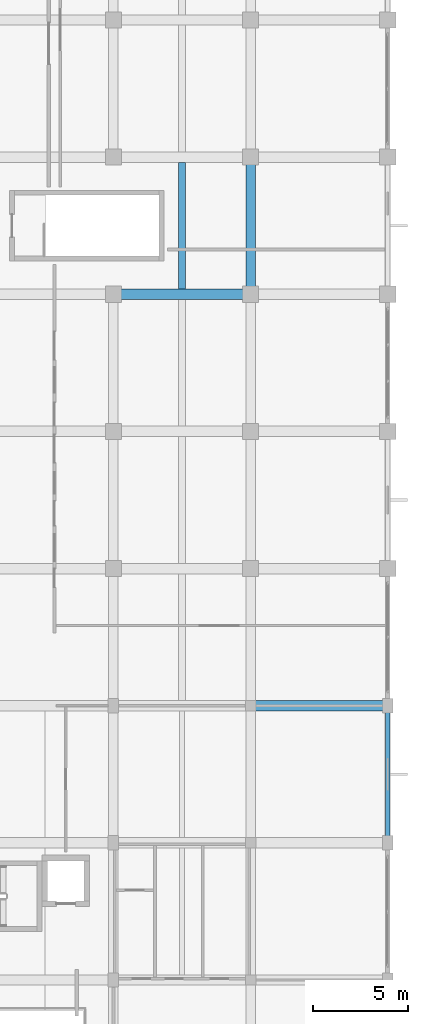
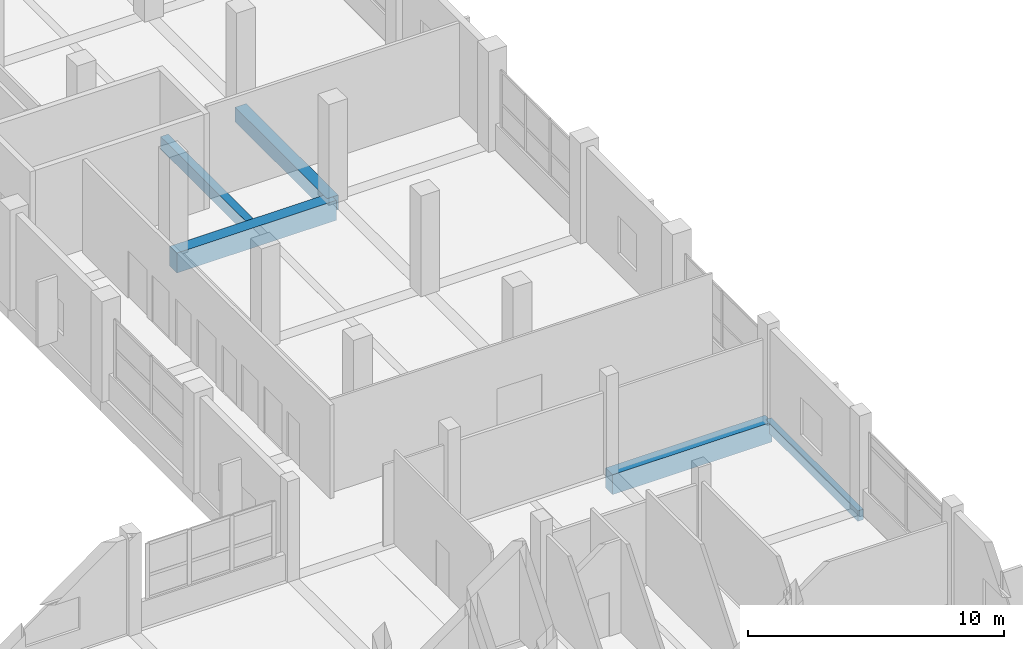
# One storey, part 122 of 181: 5 beams.
"""IFC4 building model written with IfcOpenShell, lengths in metres."""

from ifc_helpers import new_model, si_unit, direction, frame, origin, origin_2d, place, context, subcontext, project, spatial, rectangle, extrude, material, material_profile, profile_set, type_object, element, save


model = new_model("IFC4")

# Units and contexts
model_context = context("Model", 3, precision=1e-05, world=origin(), true_north=direction((0.0, 1.0)))
body_context = subcontext(model_context, "Body", "Model", "MODEL_VIEW")
ifc_project = project(units=[si_unit("LENGTHUNIT", "METRE"), si_unit("AREAUNIT", "SQUARE_METRE"), si_unit("VOLUMEUNIT", "CUBIC_METRE"), si_unit("PLANEANGLEUNIT", "RADIAN"), si_unit("MASSUNIT", "GRAM", prefix="KILO")], contexts=[model_context])

# Site, building, storey
site_placement = place(None, origin())
site = spatial("IfcSite", under=ifc_project, at=site_placement, CompositionType="ELEMENT")
building_placement = place(site_placement, origin())
building = spatial("IfcBuilding", under=site, at=building_placement, Name="Seraya Terrace Polytechnic", CompositionType="ELEMENT")
storey_placement = place(building_placement, frame((0.0, 0.0, 4.800048828125)))
storey = spatial("IfcBuildingStorey", under=building, at=storey_placement, Name="L01", CompositionType="ELEMENT", Elevation=4.800048828125)

# Beams
ifc_material = material(Name="Concrete C40/50", Category="concrete")
ifc_material_profile_1 = material_profile(ifc_material, rectangle(XDim=0.550048828125, YDim=0.949951171875, at=origin_2d()), Name="RC 550x950")
ifc_profile_set_1 = profile_set([ifc_material_profile_1], Name="Concrete C40/50")
beam_type_1 = type_object("IfcBeamType", Name="BM-03", PredefinedType="BEAM", material=ifc_profile_set_1)
beam_1_placement = place(storey_placement, frame((158.39990234375, 36.0, -0.47509765625), z_axis=(1.0, 0.0, 0.0), x_axis=(0.0, 1.0, 0.0)))
element("IfcBeam", 1, at=beam_1_placement, inside=storey, type_object=beam_type_1, Name="Beam BM-03 L01 X (158.4..165.6, 36.0)", PredefinedType="BEAM", context=body_context, shape_type="SweptSolid", body=[
    extrude(rectangle(XDim=0.550048828125, YDim=0.949951171875, at=origin_2d()), origin(), (0.0, 0.0, 1.0), 7.2001953125),
])
beam_2_placement = place(storey_placement, frame((151.199951171875, 57.60009765625, -0.47509765625), z_axis=(1.0, 0.0, 0.0), x_axis=(0.0, 1.0, 0.0)))
element("IfcBeam", 2, at=beam_2_placement, inside=storey, type_object=beam_type_1, Name="Beam BM-03 L01 X (151.2..158.4, 57.6)", PredefinedType="BEAM", context=body_context, shape_type="SweptSolid", body=[
    extrude(rectangle(XDim=0.550048828125, YDim=0.949951171875, at=origin_2d()), origin(), (0.0, 0.0, 1.0), 7.199951171875),
])
ifc_material_profile_2 = material_profile(ifc_material, rectangle(XDim=0.5, YDim=0.699951171875, at=origin_2d()), Name="RC 500x700")
ifc_profile_set_2 = profile_set([ifc_material_profile_2], Name="Concrete C40/50")
beam_type_2 = type_object("IfcBeamType", Name="BM-07", PredefinedType="BEAM", material=ifc_profile_set_2)
beam_3_placement = place(storey_placement, frame((158.39990234375, 57.60009765625, -0.35009765625), z_axis=(0.0, 1.0, 0.0), x_axis=(-1.0, 0.0, 0.0)))
element("IfcBeam", 3, at=beam_3_placement, inside=storey, type_object=beam_type_2, Name="Beam BM-07 L01 Y (158.4, 57.6..64.8)", PredefinedType="BEAM", context=body_context, shape_type="SweptSolid", body=[
    extrude(rectangle(XDim=0.5, YDim=0.699951171875, at=origin_2d()), origin(), (0.0, 0.0, 1.0), 7.199951171875),
])
ifc_material_profile_3 = material_profile(ifc_material, rectangle(XDim=0.35009765625, YDim=0.60009765625, at=origin_2d()), Name="RC 350x600")
ifc_profile_set_3 = profile_set([ifc_material_profile_3], Name="Concrete C40/50")
beam_type_3 = type_object("IfcBeamType", Name="JS-02", PredefinedType="JOIST", material=ifc_profile_set_3)
beam_4_placement = place(storey_placement, frame((154.800048828125, 57.875, -0.300048828125), z_axis=(0.0, 1.0, 0.0), x_axis=(-1.0, 0.0, 0.0)))
element("IfcBeam", 4, at=beam_4_placement, inside=storey, type_object=beam_type_3, Name="Secondary joist JS-02 L01", PredefinedType="JOIST", context=body_context, shape_type="SweptSolid", body=[
    extrude(rectangle(XDim=0.35009765625, YDim=0.60009765625, at=origin_2d()), origin(), (0.0, 0.0, 1.0), 6.64990234375),
])
ifc_material_profile_4 = material_profile(ifc_material, rectangle(XDim=0.25, YDim=0.5, at=origin_2d()), Name="RC 250x500")
ifc_profile_set_4 = profile_set([ifc_material_profile_4], Name="Concrete C40/50")
beam_type_4 = type_object("IfcBeamType", Name="SP-03", PredefinedType="SPANDREL", material=ifc_profile_set_4)
beam_5_placement = place(storey_placement, frame((165.60009765625, 28.800048828125, -0.25), z_axis=(0.0, 1.0, 0.0), x_axis=(-1.0, 0.0, 0.0)))
element("IfcBeam", 5, at=beam_5_placement, inside=storey, type_object=beam_type_4, Name="Beam SP-03 L01 Y (165.6, 28.8..36.0)", PredefinedType="SPANDREL", context=body_context, shape_type="SweptSolid", body=[
    extrude(rectangle(XDim=0.25, YDim=0.5, at=origin_2d()), origin(), (0.0, 0.0, 1.0), 7.199951171875),
])

save(model, "model.ifc")
